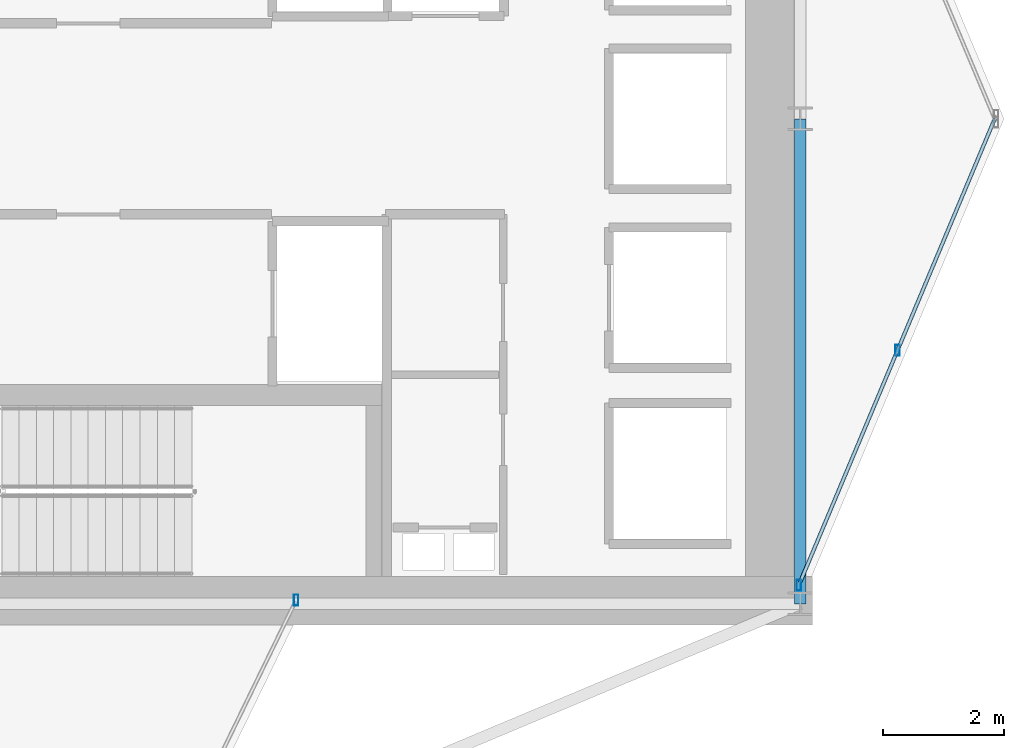
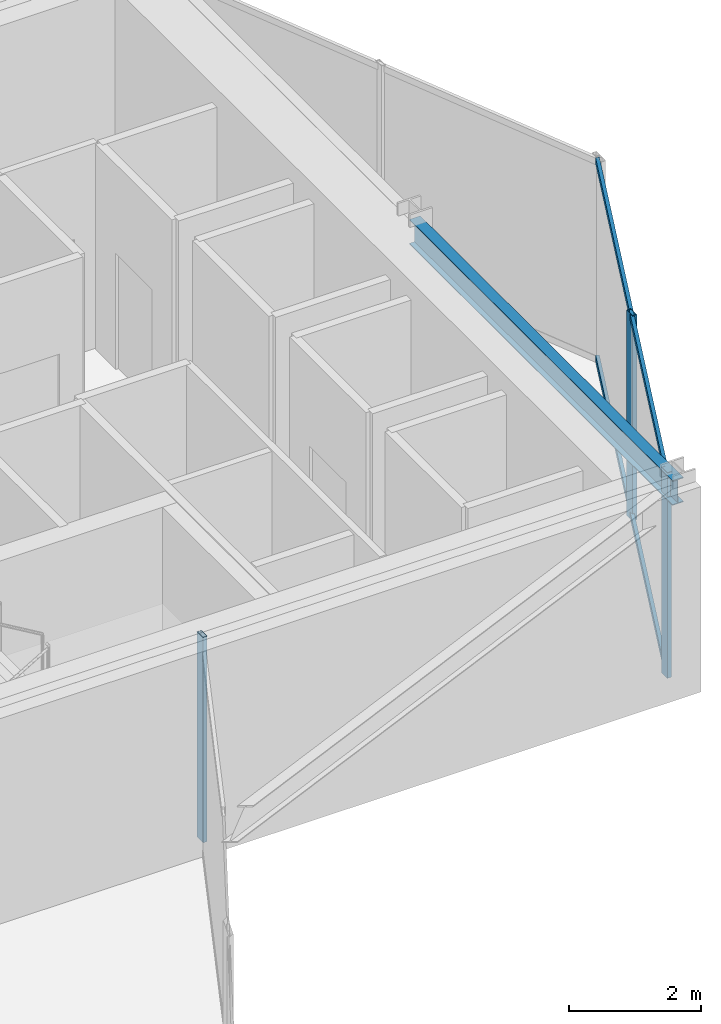
# One storey, part 13 of 24: 5 members, 1 beam, 2 elements without a shape of their own.
"""IFC4 building model written with IfcOpenShell, lengths in metres."""

from ifc_helpers import new_model, si_unit, direction, frame, origin, origin_2d, place, context, subcontext, project, spatial, hollow_rectangle, i_section, extrude, material, layer, layer_set, material_profile, profile_set, type_object, element, aggregate, save


model = new_model("IFC4")

# Units and contexts
model_context = context("Model", 3, precision=1e-05, world=origin(), true_north=direction((0.0, 1.0)))
body_context = subcontext(model_context, "Body", "Model", "MODEL_VIEW")
ifc_project = project(units=[si_unit("LENGTHUNIT", "METRE"), si_unit("AREAUNIT", "SQUARE_METRE"), si_unit("VOLUMEUNIT", "CUBIC_METRE"), si_unit("PLANEANGLEUNIT", "RADIAN"), si_unit("MASSUNIT", "GRAM", prefix="KILO")], contexts=[model_context])

# Site, building, storey
site_placement = place(None, origin())
site = spatial("IfcSite", under=ifc_project, at=site_placement, CompositionType="ELEMENT")
building_placement = place(site_placement, origin())
building = spatial("IfcBuilding", under=site, at=building_placement, Name="Veymaron Broadcast Tower", CompositionType="ELEMENT")
storey_placement = place(building_placement, frame((0.0, 0.0, 124.949951171875)))
storey = spatial("IfcBuildingStorey", under=building, at=storey_placement, Name="L28", CompositionType="ELEMENT", Elevation=124.949951171875)

# Beam
ifc_material_1 = material(Name="Structural steel ASTM A992 Gr 50", Category="steel")
ifc_material_profile_1 = material_profile(ifc_material_1, i_section(OverallWidth=0.19091796875, OverallDepth=0.4599609375, WebThickness=0.010009765625, FlangeThickness=0.01611328125, at=origin_2d()), Name="W460X82")
ifc_profile_set_1 = profile_set([ifc_material_profile_1], Name="Structural steel ASTM A992 Gr 50")
beam_type = type_object("IfcBeamType", Name="BM-SP1", PredefinedType="SPANDREL", material=ifc_profile_set_1)
beam_placement = place(storey_placement, frame((54.60009765625, 16.0, 3.580078125), z_axis=(0.0, 1.0, 0.0), x_axis=(-1.0, 0.0, 0.0)))
element("IfcBeam", 1, at=beam_placement, inside=storey, type_object=beam_type, Name="L28 primary structural floor girder", PredefinedType="SPANDREL", context=body_context, shape_type="SweptSolid", body=[
    extrude(i_section(OverallWidth=0.19091796875, OverallDepth=0.4599609375, WebThickness=0.010009765625, FlangeThickness=0.01611328125, at=origin_2d()), origin(), (0.0, 0.0, 1.0), 8.0),
])

# Curtain wall, members
ifc_material_2 = material(Name="Anodised aluminium AA 6063-T6 and laminated low-E dark glass", Category="aluminium")
ifc_layer = layer(ifc_material_2, 0.179931640625)
ifc_layer_set = layer_set([ifc_layer], Name="Anodised aluminium AA 6063-T6 and laminated low-E dark glass")
curtain_wall_type = type_object("IfcCurtainWallType", Name="CW-SYS-03", PredefinedType="NOTDEFINED", material=ifc_layer_set)
curtain_wall_1_placement = place(storey_placement, origin())
curtain_wall_1 = element("IfcCurtainWall", 2, at=curtain_wall_1_placement, inside=storey, type_object=curtain_wall_type, Name="L28 dark-glass curtain wall CW-L28-E2-1", PredefinedType="NOTDEFINED")
ifc_material_3 = material(Name="Anodised aluminium AA 6063-T6", Category="aluminium")
ifc_material_profile_2 = material_profile(ifc_material_3, hollow_rectangle(XDim=0.074951171875, YDim=0.179931640625, WallThickness=0.0048828125, at=origin_2d()), Name="AL180X75X5")
ifc_profile_set_2 = profile_set([ifc_material_profile_2], Name="Anodised aluminium AA 6063-T6")
member_type_1 = type_object("IfcMemberType", Name="CW-MUL-02", PredefinedType="MULLION", material=ifc_profile_set_2)
member_1_placement = place(storey_placement, frame((54.576904296875, 16.306396484375, 0.0), z_axis=(0.0, 0.0, 1.0), x_axis=(1.0, 0.0, 0.0)))
member_1 = element("IfcMember", 3, at=member_1_placement, type_object=member_type_1, Name="CW-L28-E2-1 mullion 0", PredefinedType="MULLION", context=body_context, shape_type="SweptSolid", body=[
    extrude(hollow_rectangle(XDim=0.074951171875, YDim=0.179931640625, WallThickness=0.0048828125, at=origin_2d()), origin(), (0.0, 0.0, 1.0), 3.81005859375),
])
member_2_placement = place(storey_placement, frame((56.203857421875, 20.180419921875, 0.0), z_axis=(0.0, 0.0, 1.0), x_axis=(1.0, 0.0, 0.0)))
member_2 = element("IfcMember", 4, at=member_2_placement, type_object=member_type_1, Name="CW-L28-E2-1 mullion 1", PredefinedType="MULLION", context=body_context, shape_type="SweptSolid", body=[
    extrude(hollow_rectangle(XDim=0.074951171875, YDim=0.179931640625, WallThickness=0.0048828125, at=origin_2d()), origin(), (0.0, 0.0, 1.0), 3.81005859375),
])

# Curtain wall, member
curtain_wall_2_placement = place(storey_placement, origin())
curtain_wall_2 = element("IfcCurtainWall", 5, at=curtain_wall_2_placement, inside=storey, type_object=curtain_wall_type, Name="L28 dark-glass curtain wall CW-L28-E20-1", PredefinedType="NOTDEFINED")
member_3_placement = place(storey_placement, frame((46.284423828125, 16.061279296875, 0.0), z_axis=(0.0, 0.0, 1.0), x_axis=(1.0, 0.0, 0.0)))
member_3 = element("IfcMember", 6, at=member_3_placement, type_object=member_type_1, Name="CW-L28-E20-1 mullion 2", PredefinedType="MULLION", context=body_context, shape_type="SweptSolid", body=[
    extrude(hollow_rectangle(XDim=0.074951171875, YDim=0.179931640625, WallThickness=0.0048828125, at=origin_2d()), origin(), (0.0, 0.0, 1.0), 3.81005859375),
])
aggregate(curtain_wall_2, [member_3])

# Member
ifc_material_profile_3 = material_profile(ifc_material_3, hollow_rectangle(XDim=0.06005859375, YDim=0.1201171875, WallThickness=0.00390625, at=origin_2d()), Name="AL120X60X4")
ifc_profile_set_3 = profile_set([ifc_material_profile_3], Name="Anodised aluminium AA 6063-T6")
member_type_2 = type_object("IfcMemberType", Name="CW-TRN-02", PredefinedType="USERDEFINED", material=ifc_profile_set_3)
member_4_placement = place(storey_placement, frame((54.59619140625, 16.352294921875, 0.070068359375), z_axis=(0.387223486805, 0.921985884527, 0.0), x_axis=(-0.921985884527, 0.387223486805, 0.0)))
member_4 = element("IfcMember", 7, at=member_4_placement, type_object=member_type_2, Name="CW-L28-E2-1 transom B", ObjectType="TRANSOM", PredefinedType="USERDEFINED", context=body_context, shape_type="SweptSolid", body=[
    extrude(hollow_rectangle(XDim=0.06005859375, YDim=0.1201171875, WallThickness=0.00390625, at=origin_2d()), origin(), (0.0, 0.0, 1.0), 8.303466796875),
])

member_5_placement = place(storey_placement, frame((54.59619140625, 16.352294921875, 3.739990234375), z_axis=(0.387223486805, 0.921985884527, 0.0), x_axis=(-0.921985884527, 0.387223486805, 0.0)))
member_5 = element("IfcMember", 8, at=member_5_placement, type_object=member_type_2, Name="CW-L28-E2-1 transom T", ObjectType="TRANSOM", PredefinedType="USERDEFINED", context=body_context, shape_type="SweptSolid", body=[
    extrude(hollow_rectangle(XDim=0.06005859375, YDim=0.1201171875, WallThickness=0.00390625, at=origin_2d()), origin(), (0.0, 0.0, 1.0), 8.303466796875),
])

aggregate(curtain_wall_1, [member_1, member_2, member_4, member_5])

save(model, "model.ifc")
